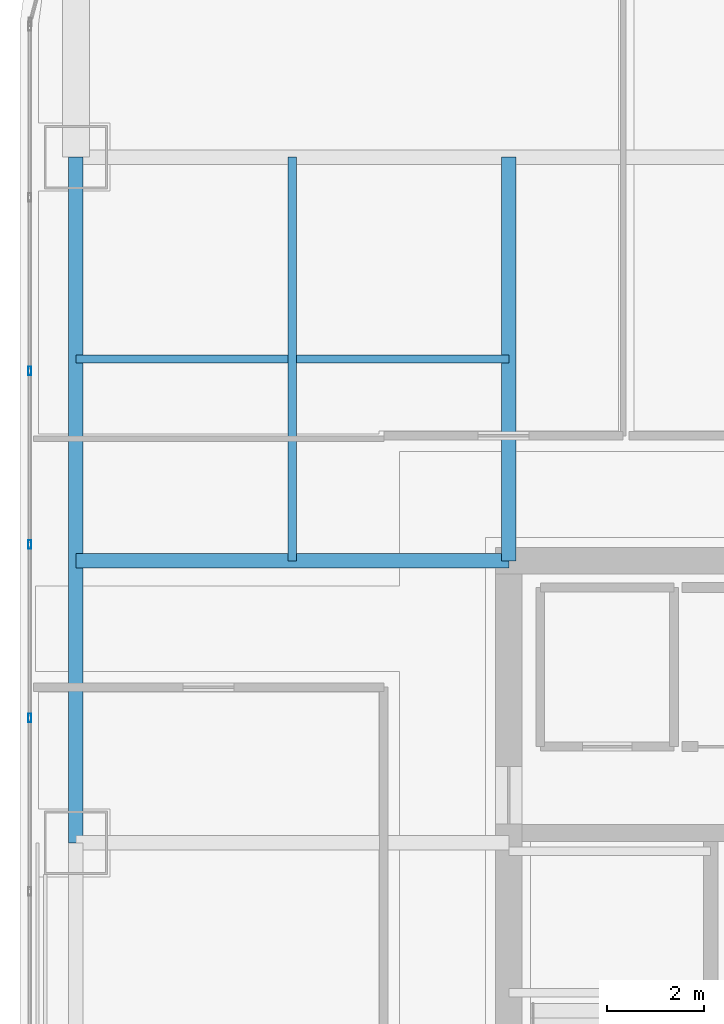
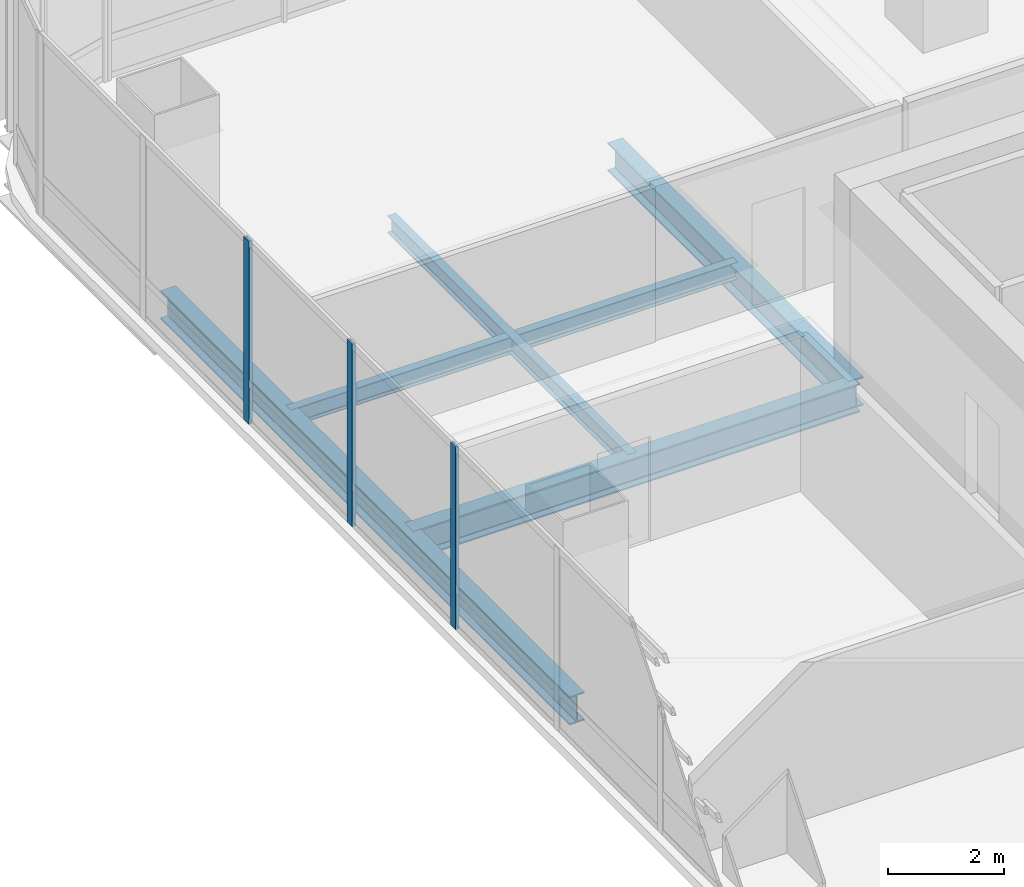
# One storey, part 12 of 40: 5 beams, 3 members, 1 element without a shape of its own.
"""IFC4 building model written with IfcOpenShell, lengths in metres."""

from ifc_helpers import new_model, si_unit, direction, frame, origin, origin_2d, place, context, subcontext, project, spatial, hollow_rectangle, i_section, extrude, material, material_profile, profile_set, type_object, element, aggregate, save


model = new_model("IFC4")

# Units and contexts
model_context = context("Model", 3, precision=1e-05, world=origin(), true_north=direction((0.0, 1.0)))
body_context = subcontext(model_context, "Body", "Model", "MODEL_VIEW")
ifc_project = project(units=[si_unit("LENGTHUNIT", "METRE"), si_unit("AREAUNIT", "SQUARE_METRE"), si_unit("VOLUMEUNIT", "CUBIC_METRE"), si_unit("PLANEANGLEUNIT", "RADIAN"), si_unit("MASSUNIT", "GRAM", prefix="KILO")], contexts=[model_context])

# Site, building, storey
site_placement = place(None, origin())
site = spatial("IfcSite", under=ifc_project, at=site_placement, CompositionType="ELEMENT")
building_placement = place(site_placement, origin())
building = spatial("IfcBuilding", under=site, at=building_placement, Name="Punatoya Terracotta Tower", CompositionType="ELEMENT")
storey_placement = place(building_placement, frame((0.0, 0.0, 271.64990234375)))
storey = spatial("IfcBuildingStorey", under=building, at=storey_placement, Name="L64", CompositionType="ELEMENT", Elevation=271.64990234375)

# Beams
ifc_material_1 = material(Name="Steel S355", Category="steel")
ifc_material_profile_1 = material_profile(ifc_material_1, i_section(OverallWidth=0.300048828125, OverallDepth=0.60009765625, WebThickness=0.015380859375, FlangeThickness=0.030029296875, FilletRadius=0.01806640625, at=origin_2d()))
ifc_profile_set_1 = profile_set([ifc_material_profile_1], Name="Steel S355")
beam_type_1 = type_object("IfcBeamType", Name="BM-PRI-600", PredefinedType="BEAM", material=ifc_profile_set_1)
beam_1_placement = place(storey_placement, frame((-19.10009765625, 3.39990234375, -0.5), z_axis=(0.0, 1.0, 0.0), x_axis=(-1.0, 0.0, 0.0)))
element("IfcBeam", 1, at=beam_1_placement, inside=storey, type_object=beam_type_1, Name="BM-L64-RG-W3", PredefinedType="BEAM", context=body_context, shape_type="SweptSolid", body=[
    extrude(i_section(OverallWidth=0.300048828125, OverallDepth=0.60009765625, WebThickness=0.015380859375, FlangeThickness=0.030029296875, FilletRadius=0.01806640625, at=origin_2d()), origin(), (0.0, 0.0, 1.0), 14.10009765625),
])
beam_2_placement = place(storey_placement, frame((-19.10009765625, 9.199951171875, -0.5), z_axis=(1.0, 0.0, 0.0), x_axis=(0.0, 1.0, 0.0)))
element("IfcBeam", 2, at=beam_2_placement, inside=storey, type_object=beam_type_1, Name="BM-L64-PR-WN", PredefinedType="BEAM", context=body_context, shape_type="SweptSolid", body=[
    extrude(i_section(OverallWidth=0.300048828125, OverallDepth=0.60009765625, WebThickness=0.015380859375, FlangeThickness=0.030029296875, FilletRadius=0.01806640625, at=origin_2d()), origin(), (0.0, 0.0, 1.0), 8.900146484375),
])
beam_3_placement = place(storey_placement, frame((-10.199951171875, 9.199951171875, -0.5), z_axis=(0.0, 1.0, 0.0), x_axis=(-1.0, 0.0, 0.0)))
element("IfcBeam", 3, at=beam_3_placement, inside=storey, type_object=beam_type_1, Name="BM-L64-PR-N1", PredefinedType="BEAM", context=body_context, shape_type="SweptSolid", body=[
    extrude(i_section(OverallWidth=0.300048828125, OverallDepth=0.60009765625, WebThickness=0.015380859375, FlangeThickness=0.030029296875, FilletRadius=0.01806640625, at=origin_2d()), origin(), (0.0, 0.0, 1.0), 8.300048828125),
])
ifc_material_profile_2 = material_profile(ifc_material_1, i_section(OverallWidth=0.169921875, OverallDepth=0.360107421875, WebThickness=0.008056640625, FlangeThickness=0.0126953125, FilletRadius=0.01806640625, at=origin_2d()))
ifc_profile_set_2 = profile_set([ifc_material_profile_2], Name="Steel S355")
beam_type_2 = type_object("IfcBeamType", Name="BM-SEC-360", PredefinedType="JOIST", material=ifc_profile_set_2)
beam_4_placement = place(storey_placement, frame((-19.10009765625, 13.35009765625, -0.3798828125), z_axis=(1.0, 0.0, 0.0), x_axis=(0.0, 1.0, 0.0)))
element("IfcBeam", 4, at=beam_4_placement, inside=storey, type_object=beam_type_2, Name="BM-L64-SJN-1", PredefinedType="JOIST", context=body_context, shape_type="SweptSolid", body=[
    extrude(i_section(OverallWidth=0.169921875, OverallDepth=0.360107421875, WebThickness=0.008056640625, FlangeThickness=0.0126953125, FilletRadius=0.01806640625, at=origin_2d()), origin(), (0.0, 0.0, 1.0), 8.900146484375),
])
beam_5_placement = place(storey_placement, frame((-14.64990234375, 9.199951171875, -0.3798828125), z_axis=(0.0, 1.0, 0.0), x_axis=(-1.0, 0.0, 0.0)))
element("IfcBeam", 5, at=beam_5_placement, inside=storey, type_object=beam_type_2, Name="BM-L64-SJW-2", PredefinedType="JOIST", context=body_context, shape_type="SweptSolid", body=[
    extrude(i_section(OverallWidth=0.169921875, OverallDepth=0.360107421875, WebThickness=0.008056640625, FlangeThickness=0.0126953125, FilletRadius=0.01806640625, at=origin_2d()), origin(), (0.0, 0.0, 1.0), 8.300048828125),
])

# Curtain wall, members
ifc_material_2 = material(Name="Aluminium 6063-T6 + Double Low-E Glass", Category="aluminium")
curtain_wall_type = type_object("IfcCurtainWallType", Name="CW-M3", PredefinedType="NOTDEFINED", material=ifc_material_2)
curtain_wall_placement = place(storey_placement, origin())
curtain_wall = element("IfcCurtainWall", 6, at=curtain_wall_placement, inside=storey, type_object=curtain_wall_type, Name="L64 Curtain Wall CW-L64-W13-1", PredefinedType="NOTDEFINED")
ifc_material_3 = material(Name="Aluminium 6063-T6", Category="aluminium")
ifc_material_profile_3 = material_profile(ifc_material_3, hollow_rectangle(XDim=0.070068359375, YDim=0.179931640625, WallThickness=0.00390625, at=origin_2d()))
ifc_profile_set_3 = profile_set([ifc_material_profile_3], Name="Aluminium 6063-T6")
member_type = type_object("IfcMemberType", Name="CW-MUL-M3", PredefinedType="MULLION", material=ifc_profile_set_3)
member_1_placement = place(storey_placement, frame((-20.050048828125, 13.10205078125, 0.0), z_axis=(0.0, 0.0, 1.0), x_axis=(1.0, 0.0, 0.0)))
member_1 = element("IfcMember", 7, at=member_1_placement, type_object=member_type, Name="CW-L64-W13-1 Mullion 02", PredefinedType="MULLION", context=body_context, shape_type="SweptSolid", body=[
    extrude(hollow_rectangle(XDim=0.070068359375, YDim=0.179931640625, WallThickness=0.00390625, at=origin_2d()), origin(), (0.0, 0.0, 1.0), 3.85009765625),
])
member_2_placement = place(storey_placement, frame((-20.050048828125, 9.534912109375, 0.0), z_axis=(0.0, 0.0, 1.0), x_axis=(1.0, 0.0, 0.0)))
member_2 = element("IfcMember", 8, at=member_2_placement, type_object=member_type, Name="CW-L64-W13-1 Mullion 03", PredefinedType="MULLION", context=body_context, shape_type="SweptSolid", body=[
    extrude(hollow_rectangle(XDim=0.070068359375, YDim=0.179931640625, WallThickness=0.00390625, at=origin_2d()), origin(), (0.0, 0.0, 1.0), 3.85009765625),
])
member_3_placement = place(storey_placement, frame((-20.050048828125, 5.96728515625, 0.0), z_axis=(0.0, 0.0, 1.0), x_axis=(1.0, 0.0, 0.0)))
member_3 = element("IfcMember", 9, at=member_3_placement, type_object=member_type, Name="CW-L64-W13-1 Mullion 04", PredefinedType="MULLION", context=body_context, shape_type="SweptSolid", body=[
    extrude(hollow_rectangle(XDim=0.070068359375, YDim=0.179931640625, WallThickness=0.00390625, at=origin_2d()), origin(), (0.0, 0.0, 1.0), 3.85009765625),
])
aggregate(curtain_wall, [member_1, member_2, member_3])

save(model, "model.ifc")
